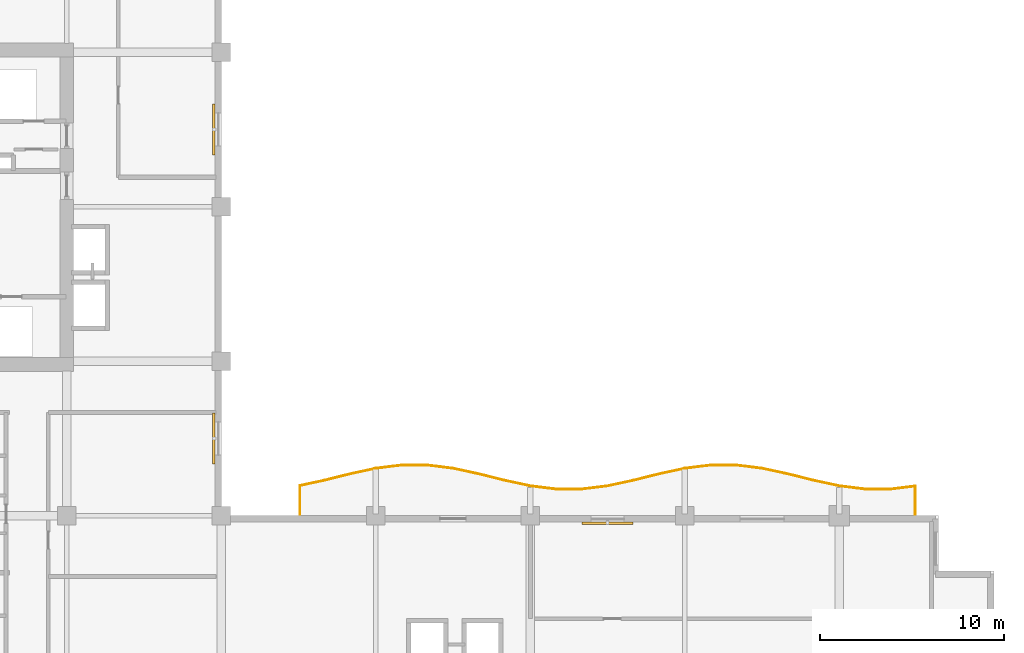
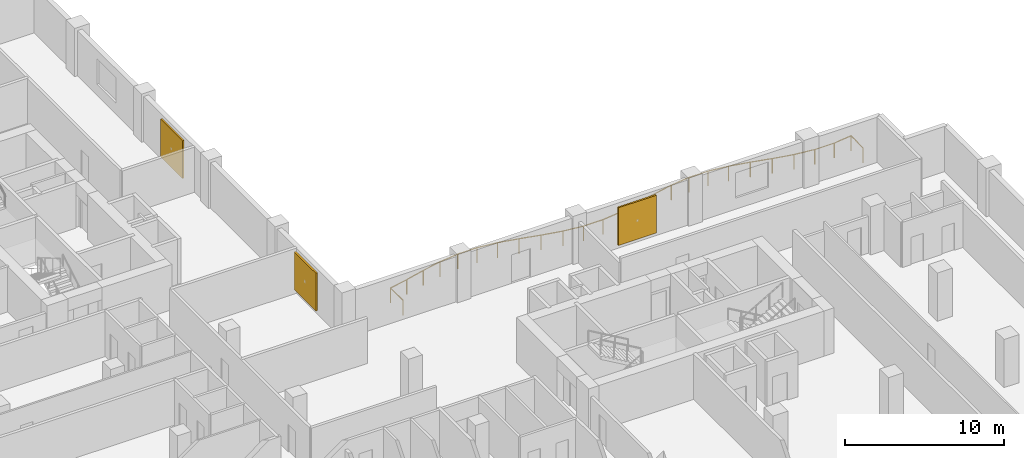
# One storey, part 16 of 16: 3 shading devices, 1 railing.
"""IFC4 building model written with IfcOpenShell, lengths in metres."""

from ifc_helpers import new_model, si_unit, direction, frame, origin, origin_2d, place, context, subcontext, project, spatial, rectangle, circle, extrude, material, layer, layer_set, type_object, element, save


model = new_model("IFC4")

# Units and contexts
model_context = context("Model", 3, precision=1e-05, world=origin(), true_north=direction((0.0, 1.0)))
body_context = subcontext(model_context, "Body", "Model", "MODEL_VIEW")
ifc_project = project(units=[si_unit("LENGTHUNIT", "METRE"), si_unit("AREAUNIT", "SQUARE_METRE"), si_unit("VOLUMEUNIT", "CUBIC_METRE"), si_unit("PLANEANGLEUNIT", "RADIAN"), si_unit("MASSUNIT", "GRAM", prefix="KILO")], contexts=[model_context])

# Site, building, storey
site_placement = place(None, origin())
site = spatial("IfcSite", under=ifc_project, at=site_placement, CompositionType="ELEMENT")
building_placement = place(site_placement, origin())
building = spatial("IfcBuilding", under=site, at=building_placement, Name="Koriwani Terraces Tower", CompositionType="ELEMENT")
storey_placement = place(building_placement, frame((0.0, 0.0, 186.5)))
storey = spatial("IfcBuildingStorey", under=building, at=storey_placement, Name="L45", CompositionType="ELEMENT", Elevation=186.5)

# Railing
ifc_material_1 = material(Name="Steel ASTM A572 Grade 50", Category="steel")
railing_type = type_object("IfcRailingType", Name="GUARD_BALUSTRADE_1150", PredefinedType="BALUSTRADE", material=ifc_material_1)
railing_placement = place(storey_placement, frame((71.320068359375, 33.679931640625, 0.0)))
element("IfcRailing", 1, at=railing_placement, inside=storey, type_object=railing_type, Name="L45 Balcony Perimeter Safety Balustrade (NE)", PredefinedType="BALUSTRADE", context=body_context, shape_type="SweptSolid", body=[
    extrude(circle(Radius=0.02392578125, at=origin_2d()), frame((0.0, 0.0, 1.1259765625), z_axis=(0.0, 1.0, 0.0), x_axis=(-1.0, 0.0, 0.0)), (0.0, 0.0, 1.0), 1.527099609375),
    extrude(circle(Radius=0.02392578125, at=origin_2d()), frame((0.0, 1.527099609375, 1.1259765625), z_axis=(-0.992331628798, -0.123603958219, 0.0), x_axis=(0.123603958219, -0.992331628798, 0.0)), (0.0, 0.0, 1.0), 1.325439453125),
    extrude(circle(Radius=0.02392578125, at=origin_2d()), frame((-1.315185546875, 1.36328125, 1.1259765625), z_axis=(-1.0, 0.0, 0.0), x_axis=(0.0, -1.0, 0.0)), (0.0, 0.0, 1.0), 1.409912109375),
    extrude(circle(Radius=0.02392578125, at=origin_2d()), frame((-2.72509765625, 1.36328125, 1.1259765625), z_axis=(-0.992301674614, 0.12384420276, 0.0), x_axis=(-0.12384420276, -0.992301674614, 0.0)), (0.0, 0.0, 1.0), 1.41943359375),
    extrude(circle(Radius=0.02392578125, at=origin_2d()), frame((-4.133544921875, 1.5390625, 1.1259765625), z_axis=(-0.977445455552, 0.211188023857, 0.0), x_axis=(-0.211188023857, -0.977445455552, 0.0)), (0.0, 0.0, 1.0), 1.43701171875),
    extrude(circle(Radius=0.02392578125, at=origin_2d()), frame((-5.5380859375, 1.842529296875, 1.1259765625), z_axis=(-0.970251871253, 0.242097720621, 0.0), x_axis=(-0.242097720621, -0.970251871253, 0.0)), (0.0, 0.0, 1.0), 1.443115234375),
    extrude(circle(Radius=0.02392578125, at=origin_2d()), frame((-6.938232421875, 2.19189453125, 1.1259765625), z_axis=(-0.977438029446, 0.211222391315, 0.0), x_axis=(-0.211222391315, -0.977438029446, 0.0)), (0.0, 0.0, 1.0), 1.427490234375),
    extrude(circle(Radius=0.02392578125, at=origin_2d()), frame((-8.33349609375, 2.493408203125, 1.1259765625), z_axis=(-0.992309982997, 0.123777613669, 0.0), x_axis=(-0.123777613669, -0.992309982997, 0.0)), (0.0, 0.0, 1.0), 1.40234375),
    extrude(circle(Radius=0.02392578125, at=origin_2d()), frame((-9.72509765625, 2.6669921875, 1.1259765625), z_axis=(-1.0, 0.0, 0.0), x_axis=(0.0, -1.0, 0.0)), (0.0, 0.0, 1.0), 1.389892578125),
    extrude(circle(Radius=0.02392578125, at=origin_2d()), frame((-11.114990234375, 2.6669921875, 1.1259765625), z_axis=(-0.992309982997, -0.123777613669, 0.0), x_axis=(0.123777613669, -0.992309982997, 0.0)), (0.0, 0.0, 1.0), 1.40234375),
    extrude(circle(Radius=0.02392578125, at=origin_2d()), frame((-12.506591796875, 2.493408203125, 1.1259765625), z_axis=(-0.977438029446, -0.211222391315, 0.0), x_axis=(0.211222391315, -0.977438029446, 0.0)), (0.0, 0.0, 1.0), 1.427490234375),
    extrude(circle(Radius=0.02392578125, at=origin_2d()), frame((-13.90185546875, 2.19189453125, 1.1259765625), z_axis=(-0.970251871253, -0.242097720621, 0.0), x_axis=(0.242097720621, -0.970251871253, 0.0)), (0.0, 0.0, 1.0), 1.443115234375),
    extrude(circle(Radius=0.02392578125, at=origin_2d()), frame((-15.302001953125, 1.842529296875, 1.1259765625), z_axis=(-0.977453031353, -0.21115295759, 0.0), x_axis=(0.21115295759, -0.977453031353, 0.0)), (0.0, 0.0, 1.0), 1.437255859375),
    extrude(circle(Radius=0.02392578125, at=origin_2d()), frame((-16.706787109375, 1.5390625, 1.1259765625), z_axis=(-0.992299035819, -0.123865344277, 0.0), x_axis=(0.123865344277, -0.992299035819, 0.0)), (0.0, 0.0, 1.0), 1.419189453125),
    extrude(circle(Radius=0.02392578125, at=origin_2d()), frame((-18.114990234375, 1.36328125, 1.1259765625), z_axis=(-1.0, 0.0, 0.0), x_axis=(0.0, -1.0, 0.0)), (0.0, 0.0, 1.0), 1.41015625),
    extrude(circle(Radius=0.02392578125, at=origin_2d()), frame((-19.525146484375, 1.36328125, 1.1259765625), z_axis=(-0.992299035819, 0.123865344277, 0.0), x_axis=(-0.123865344277, -0.992299035819, 0.0)), (0.0, 0.0, 1.0), 1.419189453125),
    extrude(circle(Radius=0.02392578125, at=origin_2d()), frame((-20.933349609375, 1.5390625, 1.1259765625), z_axis=(-0.977453031353, 0.21115295759, 0.0), x_axis=(-0.21115295759, -0.977453031353, 0.0)), (0.0, 0.0, 1.0), 1.437255859375),
    extrude(circle(Radius=0.02392578125, at=origin_2d()), frame((-22.338134765625, 1.842529296875, 1.1259765625), z_axis=(-0.970251871253, 0.242097720621, 0.0), x_axis=(-0.242097720621, -0.970251871253, 0.0)), (0.0, 0.0, 1.0), 1.443115234375),
    extrude(circle(Radius=0.02392578125, at=origin_2d()), frame((-23.73828125, 2.19189453125, 1.1259765625), z_axis=(-0.977438029446, 0.211222391315, 0.0), x_axis=(-0.211222391315, -0.977438029446, 0.0)), (0.0, 0.0, 1.0), 1.427490234375),
    extrude(circle(Radius=0.02392578125, at=origin_2d()), frame((-25.133544921875, 2.493408203125, 1.1259765625), z_axis=(-0.992309982997, 0.123777613669, 0.0), x_axis=(-0.123777613669, -0.992309982997, 0.0)), (0.0, 0.0, 1.0), 1.40234375),
    extrude(circle(Radius=0.02392578125, at=origin_2d()), frame((-26.525146484375, 2.6669921875, 1.1259765625), z_axis=(-1.0, 0.0, 0.0), x_axis=(0.0, -1.0, 0.0)), (0.0, 0.0, 1.0), 1.389892578125),
    extrude(circle(Radius=0.02392578125, at=origin_2d()), frame((-27.9150390625, 2.6669921875, 1.1259765625), z_axis=(-0.992309982997, -0.123777613669, 0.0), x_axis=(0.123777613669, -0.992309982997, 0.0)), (0.0, 0.0, 1.0), 1.40234375),
    extrude(circle(Radius=0.02392578125, at=origin_2d()), frame((-29.306640625, 2.493408203125, 1.1259765625), z_axis=(-0.977438029446, -0.211222391315, 0.0), x_axis=(0.211222391315, -0.977438029446, 0.0)), (0.0, 0.0, 1.0), 1.427490234375),
    extrude(circle(Radius=0.02392578125, at=origin_2d()), frame((-30.701904296875, 2.19189453125, 1.1259765625), z_axis=(-0.970251871253, -0.242097720621, 0.0), x_axis=(0.242097720621, -0.970251871253, 0.0)), (0.0, 0.0, 1.0), 1.443115234375),
    extrude(circle(Radius=0.02392578125, at=origin_2d()), frame((-32.10205078125, 1.842529296875, 1.1259765625), z_axis=(-0.977417151998, -0.211318979222, 0.0), x_axis=(0.211318979222, -0.977417151998, 0.0)), (0.0, 0.0, 1.0), 1.369140625),
    extrude(circle(Radius=0.02392578125, at=origin_2d()), frame((-33.440185546875, 1.55322265625, 1.1259765625), z_axis=(0.0, -1.0, 0.0), x_axis=(1.0, 0.0, 0.0)), (0.0, 0.0, 1.0), 1.55322265625),
    extrude(circle(Radius=0.02099609375, at=origin_2d()), origin(), (0.0, 0.0, 1.0), 1.101806640625),
    extrude(circle(Radius=0.02099609375, at=origin_2d()), frame((0.0, 1.527099609375, 0.0)), (0.0, 0.0, 1.0), 1.101806640625),
    extrude(circle(Radius=0.02099609375, at=origin_2d()), frame((-1.315185546875, 1.36328125, 0.0)), (0.0, 0.0, 1.0), 1.101806640625),
    extrude(circle(Radius=0.02099609375, at=origin_2d()), frame((-2.72509765625, 1.36328125, 0.0)), (0.0, 0.0, 1.0), 1.101806640625),
    extrude(circle(Radius=0.02099609375, at=origin_2d()), frame((-4.133544921875, 1.5390625, 0.0)), (0.0, 0.0, 1.0), 1.101806640625),
    extrude(circle(Radius=0.02099609375, at=origin_2d()), frame((-5.5380859375, 1.842529296875, 0.0)), (0.0, 0.0, 1.0), 1.101806640625),
    extrude(circle(Radius=0.02099609375, at=origin_2d()), frame((-6.938232421875, 2.19189453125, 0.0)), (0.0, 0.0, 1.0), 1.101806640625),
    extrude(circle(Radius=0.02099609375, at=origin_2d()), frame((-8.33349609375, 2.493408203125, 0.0)), (0.0, 0.0, 1.0), 1.101806640625),
    extrude(circle(Radius=0.02099609375, at=origin_2d()), frame((-9.72509765625, 2.6669921875, 0.0)), (0.0, 0.0, 1.0), 1.101806640625),
    extrude(circle(Radius=0.02099609375, at=origin_2d()), frame((-11.114990234375, 2.6669921875, 0.0)), (0.0, 0.0, 1.0), 1.101806640625),
    extrude(circle(Radius=0.02099609375, at=origin_2d()), frame((-12.506591796875, 2.493408203125, 0.0)), (0.0, 0.0, 1.0), 1.101806640625),
    extrude(circle(Radius=0.02099609375, at=origin_2d()), frame((-13.90185546875, 2.19189453125, 0.0)), (0.0, 0.0, 1.0), 1.101806640625),
    extrude(circle(Radius=0.02099609375, at=origin_2d()), frame((-15.302001953125, 1.842529296875, 0.0)), (0.0, 0.0, 1.0), 1.101806640625),
    extrude(circle(Radius=0.02099609375, at=origin_2d()), frame((-16.706787109375, 1.5390625, 0.0)), (0.0, 0.0, 1.0), 1.101806640625),
    extrude(circle(Radius=0.02099609375, at=origin_2d()), frame((-18.114990234375, 1.36328125, 0.0)), (0.0, 0.0, 1.0), 1.101806640625),
    extrude(circle(Radius=0.02099609375, at=origin_2d()), frame((-19.525146484375, 1.36328125, 0.0)), (0.0, 0.0, 1.0), 1.101806640625),
    extrude(circle(Radius=0.02099609375, at=origin_2d()), frame((-20.933349609375, 1.5390625, 0.0)), (0.0, 0.0, 1.0), 1.101806640625),
    extrude(circle(Radius=0.02099609375, at=origin_2d()), frame((-22.338134765625, 1.842529296875, 0.0)), (0.0, 0.0, 1.0), 1.101806640625),
    extrude(circle(Radius=0.02099609375, at=origin_2d()), frame((-23.73828125, 2.19189453125, 0.0)), (0.0, 0.0, 1.0), 1.101806640625),
    extrude(circle(Radius=0.02099609375, at=origin_2d()), frame((-25.133544921875, 2.493408203125, 0.0)), (0.0, 0.0, 1.0), 1.101806640625),
    extrude(circle(Radius=0.02099609375, at=origin_2d()), frame((-26.525146484375, 2.6669921875, 0.0)), (0.0, 0.0, 1.0), 1.101806640625),
    extrude(circle(Radius=0.02099609375, at=origin_2d()), frame((-27.9150390625, 2.6669921875, 0.0)), (0.0, 0.0, 1.0), 1.101806640625),
    extrude(circle(Radius=0.02099609375, at=origin_2d()), frame((-29.306640625, 2.493408203125, 0.0)), (0.0, 0.0, 1.0), 1.101806640625),
    extrude(circle(Radius=0.02099609375, at=origin_2d()), frame((-30.701904296875, 2.19189453125, 0.0)), (0.0, 0.0, 1.0), 1.101806640625),
    extrude(circle(Radius=0.02099609375, at=origin_2d()), frame((-32.10205078125, 1.842529296875, 0.0)), (0.0, 0.0, 1.0), 1.101806640625),
    extrude(circle(Radius=0.02099609375, at=origin_2d()), frame((-33.440185546875, 1.55322265625, 0.0)), (0.0, 0.0, 1.0), 1.101806640625),
    extrude(circle(Radius=0.02099609375, at=origin_2d()), frame((-33.440185546875, 0.0, 0.0)), (0.0, 0.0, 1.0), 1.101806640625),
])

# Shading devices
ifc_material_2 = material(Name="Extruded Terracotta Clay", Category="masonry")
ifc_layer = layer(ifc_material_2, 0.1201171875, Name="Extruded Terracotta Clay")
ifc_layer_set = layer_set([ifc_layer], Name="Extruded Terracotta Clay")
shading_device_type = type_object("IfcShadingDeviceType", Name="TERRACOTTA_BAGUETTE_SCREEN_2800", PredefinedType="USERDEFINED", material=ifc_layer_set)
for number, where, z_axis, x_axis, name in (
    (2, (33.195068359375, 37.800048828125, 0.28515625), (0.0, 0.0, 1.0), (0.0, -1.0, 0.0), "L45 Extruded Terracotta Baguette Screen (NW_IN-2)"),
    (3, (33.195068359375, 54.60009765625, 0.28515625), (0.0, 0.0, 1.0), (0.0, -1.0, 0.0), "L45 Extruded Terracotta Baguette Screen (NW_IN-8)"),
    (4, (54.60009765625, 33.195068359375, 0.28515625), (0.0, 0.0, 1.0), (1.0, 0.0, 0.0), "L45 Extruded Terracotta Baguette Screen (NE-8)"),
):
    element("IfcShadingDevice", number, at=place(storey_placement, frame(where, z_axis=z_axis, x_axis=x_axis)), inside=storey, type_object=shading_device_type, Name=name, ObjectType="BAGUETTE", PredefinedType="USERDEFINED", context=body_context, shape_type="SweptSolid", body=[
        extrude(rectangle(XDim=2.760009765625, YDim=0.1201171875, at=origin_2d()), origin(), (0.0, 0.0, 1.0), 2.89990234375),
    ])

save(model, "model.ifc")
